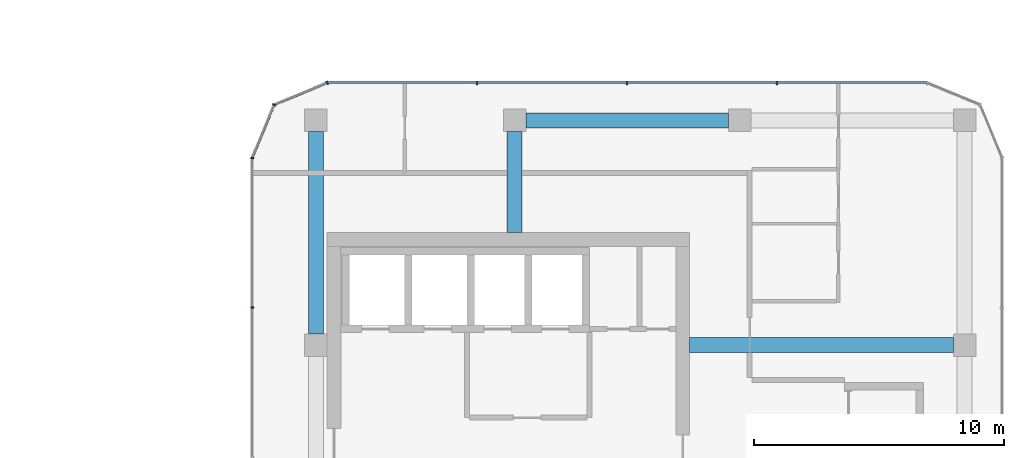
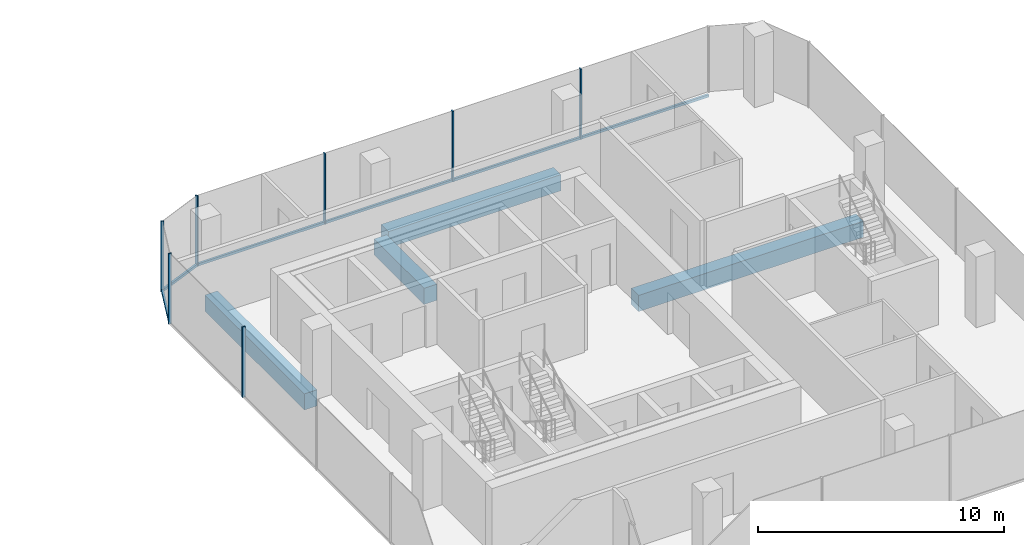
# One storey, part 9 of 23: 10 members, 4 beams, 4 elements without a shape of their own.
"""IFC4 building model written with IfcOpenShell, lengths in metres."""

from ifc_helpers import new_model, si_unit, direction, frame, origin, origin_2d, place, context, subcontext, project, spatial, rectangle, extrude, material, layer, layer_set, material_profile, profile_set, type_object, element, aggregate, save


model = new_model("IFC4")

# Units and contexts
model_context = context("Model", 3, precision=1e-05, world=origin(), true_north=direction((0.0, 1.0)))
body_context = subcontext(model_context, "Body", "Model", "MODEL_VIEW")
ifc_project = project(units=[si_unit("LENGTHUNIT", "METRE"), si_unit("AREAUNIT", "SQUARE_METRE"), si_unit("VOLUMEUNIT", "CUBIC_METRE"), si_unit("PLANEANGLEUNIT", "RADIAN"), si_unit("MASSUNIT", "GRAM", prefix="KILO")], contexts=[model_context])

# Site, building, storey
site_placement = place(None, origin())
site = spatial("IfcSite", under=ifc_project, at=site_placement, CompositionType="ELEMENT")
building_placement = place(site_placement, origin())
building = spatial("IfcBuilding", under=site, at=building_placement, Name="Plateau Cross Towers", CompositionType="ELEMENT")
storey_placement = place(building_placement, frame((0.0, 0.0, 33.800048828125)))
storey = spatial("IfcBuildingStorey", under=building, at=storey_placement, Name="L07", CompositionType="ELEMENT", Elevation=33.800048828125)

# Beams
ifc_material_1 = material(Name="Concrete C60/75", Category="concrete")
ifc_material_profile_1 = material_profile(ifc_material_1, rectangle(XDim=0.60009765625, YDim=0.800048828125, at=origin_2d()), Name="RC 600x800")
ifc_profile_set_1 = profile_set([ifc_material_profile_1], Name="Concrete C60/75")
beam_type_1 = type_object("IfcBeamType", Name="Core beam RC 600x800", PredefinedType="BEAM", material=ifc_profile_set_1)
beam_1_placement = place(storey_placement, frame((89.5, 13.5, -0.650146484375), z_axis=(1.0, 0.0, 0.0), x_axis=(0.0, 1.0, 0.0)))
element("IfcBeam", 1, at=beam_1_placement, inside=storey, type_object=beam_type_1, Name="B-CB03@L07", PredefinedType="BEAM", context=body_context, shape_type="SweptSolid", body=[
    extrude(rectangle(XDim=0.60009765625, YDim=0.800048828125, at=origin_2d()), origin(), (0.0, 0.0, 1.0), 10.550048828125),
])
beam_2_placement = place(storey_placement, frame((82.5, 18.0, -0.650146484375), z_axis=(0.0, 1.0, 0.0), x_axis=(-1.0, 0.0, 0.0)))
element("IfcBeam", 2, at=beam_2_placement, inside=storey, type_object=beam_type_1, Name="B-CB04@L07", PredefinedType="BEAM", context=body_context, shape_type="SweptSolid", body=[
    extrude(rectangle(XDim=0.60009765625, YDim=0.800048828125, at=origin_2d()), origin(), (0.0, 0.0, 1.0), 4.050048828125),
])

# Curtain wall, members
ifc_material_2 = material(Name="Dark low-iron glass", Category="glass")
ifc_layer = layer(ifc_material_2, 0.239990234375)
ifc_layer_set = layer_set([ifc_layer], Name="Dark low-iron glass")
curtain_wall_type = type_object("IfcCurtainWallType", Name="Curtain wall office unitised CW-F", PredefinedType="NOTDEFINED", material=ifc_layer_set)
curtain_wall_1_placement = place(storey_placement, origin())
curtain_wall_1 = element("IfcCurtainWall", 3, at=curtain_wall_1_placement, inside=storey, type_object=curtain_wall_type, Name="ENV/B/L07/B990_240", PredefinedType="NOTDEFINED")
ifc_material_3 = material(Name="Black anodised aluminium", Category="aluminium")
ifc_material_profile_2 = material_profile(ifc_material_3, rectangle(XDim=0.06005859375, YDim=0.139892578125, at=origin_2d()), Name="MULLION 60x140")
ifc_profile_set_2 = profile_set([ifc_material_profile_2], Name="Black anodised aluminium")
member_type_1 = type_object("IfcMemberType", Name="Mullion 60x140 office unitised", PredefinedType="MULLION", material=ifc_profile_set_2)
member_1_placement = place(storey_placement, frame((93.0, 24.0, -0.25), z_axis=(0.0, 0.0, 1.0), x_axis=(-1.0, 0.0, 0.0)))
member_1 = element("IfcMember", 4, at=member_1_placement, type_object=member_type_1, Name="CW-F mullion 2", PredefinedType="MULLION", context=body_context, shape_type="SweptSolid", body=[
    extrude(rectangle(XDim=0.06005859375, YDim=0.139892578125, at=origin_2d()), origin(), (0.0, 0.0, 1.0), 3.5),
])
member_2_placement = place(storey_placement, frame((87.0, 24.0, -0.25), z_axis=(0.0, 0.0, 1.0), x_axis=(-1.0, 0.0, 0.0)))
member_2 = element("IfcMember", 5, at=member_2_placement, type_object=member_type_1, Name="CW-F mullion 3", PredefinedType="MULLION", context=body_context, shape_type="SweptSolid", body=[
    extrude(rectangle(XDim=0.06005859375, YDim=0.139892578125, at=origin_2d()), origin(), (0.0, 0.0, 1.0), 3.5),
])
member_3_placement = place(storey_placement, frame((81.0, 24.0, -0.25), z_axis=(0.0, 0.0, 1.0), x_axis=(-1.0, 0.0, 0.0)))
member_3 = element("IfcMember", 6, at=member_3_placement, type_object=member_type_1, Name="CW-F mullion 4", PredefinedType="MULLION", context=body_context, shape_type="SweptSolid", body=[
    extrude(rectangle(XDim=0.06005859375, YDim=0.139892578125, at=origin_2d()), origin(), (0.0, 0.0, 1.0), 3.5),
])

# Curtain wall, member
curtain_wall_2_placement = place(storey_placement, origin())
curtain_wall_2 = element("IfcCurtainWall", 7, at=curtain_wall_2_placement, inside=storey, type_object=curtain_wall_type, Name="ENV/B/L07/B750_240", PredefinedType="NOTDEFINED")
member_4_placement = place(storey_placement, frame((75.0, 24.0, -0.25), z_axis=(0.0, 0.0, 1.0), x_axis=(-0.923879457699, -0.382683612978, 0.0)))
member_4 = element("IfcMember", 8, at=member_4_placement, type_object=member_type_1, Name="CW-F mullion 1", PredefinedType="MULLION", context=body_context, shape_type="SweptSolid", body=[
    extrude(rectangle(XDim=0.06005859375, YDim=0.139892578125, at=origin_2d()), origin(), (0.0, 0.0, 1.0), 3.5),
])

curtain_wall_3_placement = place(storey_placement, origin())
curtain_wall_3 = element("IfcCurtainWall", 9, at=curtain_wall_3_placement, inside=storey, type_object=curtain_wall_type, Name="ENV/B/L07/B729_231", PredefinedType="NOTDEFINED")
member_5_placement = place(storey_placement, frame((72.878662109375, 23.121337890625, -0.25), z_axis=(0.0, 0.0, 1.0), x_axis=(-0.382683612978, -0.923879457699, 0.0)))
member_5 = element("IfcMember", 10, at=member_5_placement, type_object=member_type_1, Name="CW-F mullion 1", PredefinedType="MULLION", context=body_context, shape_type="SweptSolid", body=[
    extrude(rectangle(XDim=0.06005859375, YDim=0.139892578125, at=origin_2d()), origin(), (0.0, 0.0, 1.0), 3.5),
])

# Curtain wall, members
curtain_wall_4_placement = place(storey_placement, origin())
curtain_wall_4 = element("IfcCurtainWall", 11, at=curtain_wall_4_placement, inside=storey, type_object=curtain_wall_type, Name="ENV/B/L07/B720_210", PredefinedType="NOTDEFINED")
member_6_placement = place(storey_placement, frame((72.0, 21.0, -0.25), z_axis=(0.0, 0.0, 1.0), x_axis=(0.0, -1.0, 0.0)))
member_6 = element("IfcMember", 12, at=member_6_placement, type_object=member_type_1, Name="CW-F mullion 1", PredefinedType="MULLION", context=body_context, shape_type="SweptSolid", body=[
    extrude(rectangle(XDim=0.06005859375, YDim=0.139892578125, at=origin_2d()), origin(), (0.0, 0.0, 1.0), 3.5),
])
member_7_placement = place(storey_placement, frame((72.0, 15.0, -0.25), z_axis=(0.0, 0.0, 1.0), x_axis=(0.0, -1.0, 0.0)))
member_7 = element("IfcMember", 13, at=member_7_placement, type_object=member_type_1, Name="CW-F mullion 2", PredefinedType="MULLION", context=body_context, shape_type="SweptSolid", body=[
    extrude(rectangle(XDim=0.06005859375, YDim=0.139892578125, at=origin_2d()), origin(), (0.0, 0.0, 1.0), 3.5),
])
aggregate(curtain_wall_4, [member_6, member_7])

# Beams
ifc_material_profile_3 = material_profile(ifc_material_1, rectangle(XDim=0.60009765625, YDim=0.800048828125, at=origin_2d()), Name="RC 600x800")
ifc_profile_set_3 = profile_set([ifc_material_profile_3], Name="Concrete C60/75")
beam_type_2 = type_object("IfcBeamType", Name="Ring beam RC 600x800", PredefinedType="BEAM", material=ifc_profile_set_3)
for number, where, z_axis, x_axis, name in (
    (14, (91.050048828125, 22.5, -0.650146484375), (-1.0, 0.0, 0.0), (0.0, -1.0, 0.0), "B-RB07@L07"),
    (15, (74.550048828125, 22.050048828125, -0.650146484375), (0.0, -1.0, 0.0), (1.0, 0.0, 0.0), "B-RB08@L07"),
):
    element("IfcBeam", number, at=place(storey_placement, frame(where, z_axis=z_axis, x_axis=x_axis)), inside=storey, type_object=beam_type_2, Name=name, PredefinedType="BEAM", context=body_context, shape_type="SweptSolid", body=[
        extrude(rectangle(XDim=0.60009765625, YDim=0.800048828125, at=origin_2d()), origin(), (0.0, 0.0, 1.0), 8.10009765625),
    ])

# Member
ifc_material_profile_4 = material_profile(ifc_material_3, rectangle(XDim=0.10009765625, YDim=0.1201171875, at=origin_2d()), Name="TRANSOM 100x120")
ifc_profile_set_4 = profile_set([ifc_material_profile_4], Name="Black anodised aluminium")
member_type_2 = type_object("IfcMemberType", Name="Transom 100x120 office unitised", PredefinedType="USERDEFINED", material=ifc_profile_set_4)
member_8_placement = place(storey_placement, frame((99.0, 24.0, -0.18994140625), z_axis=(-1.0, 0.0, 0.0), x_axis=(0.0, -1.0, 0.0)))
member_8 = element("IfcMember", 16, at=member_8_placement, type_object=member_type_2, Name="CW-F transom", ObjectType="TRANSOM", PredefinedType="USERDEFINED", context=body_context, shape_type="SweptSolid", body=[
    extrude(rectangle(XDim=0.10009765625, YDim=0.1201171875, at=origin_2d()), origin(), (0.0, 0.0, 1.0), 24.0),
])

aggregate(curtain_wall_1, [member_1, member_2, member_3, member_8])

member_9_placement = place(storey_placement, frame((75.0, 24.0, -0.18994140625), z_axis=(-0.923883353507, -0.382674207535, 0.0), x_axis=(0.382674207535, -0.923883353507, 0.0)))
member_9 = element("IfcMember", 17, at=member_9_placement, type_object=member_type_2, Name="CW-F transom", ObjectType="TRANSOM", PredefinedType="USERDEFINED", context=body_context, shape_type="SweptSolid", body=[
    extrude(rectangle(XDim=0.10009765625, YDim=0.1201171875, at=origin_2d()), origin(), (0.0, 0.0, 1.0), 2.296142578125),
])

aggregate(curtain_wall_2, [member_4, member_9])

member_10_placement = place(storey_placement, frame((72.878662109375, 23.121337890625, -0.18994140625), z_axis=(-0.382674207535, -0.923883353507, 0.0), x_axis=(0.923883353507, -0.382674207535, 0.0)))
member_10 = element("IfcMember", 18, at=member_10_placement, type_object=member_type_2, Name="CW-F transom", ObjectType="TRANSOM", PredefinedType="USERDEFINED", context=body_context, shape_type="SweptSolid", body=[
    extrude(rectangle(XDim=0.10009765625, YDim=0.1201171875, at=origin_2d()), origin(), (0.0, 0.0, 1.0), 2.296142578125),
])

aggregate(curtain_wall_3, [member_5, member_10])

save(model, "model.ifc")
